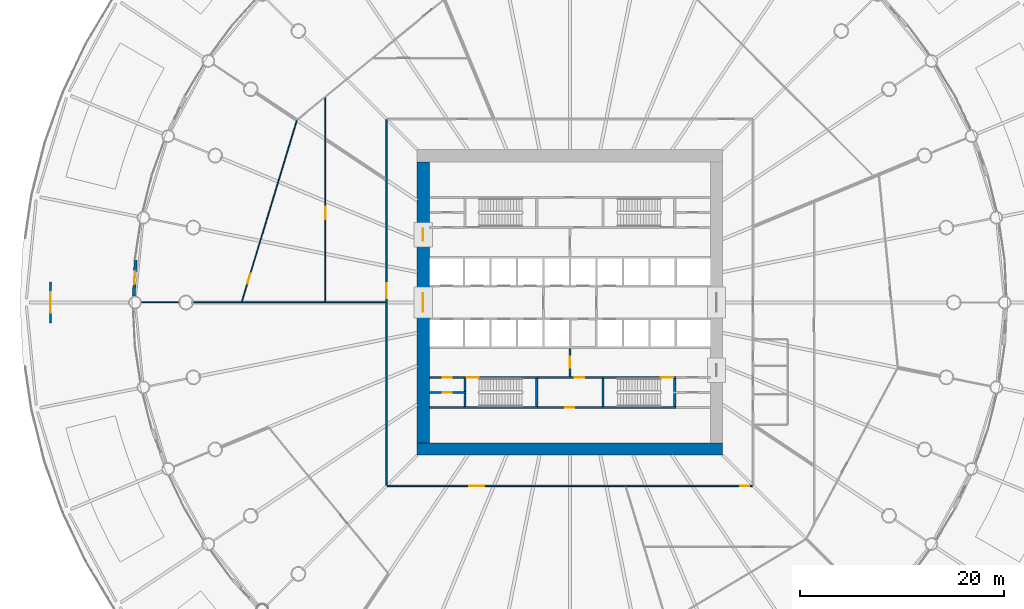
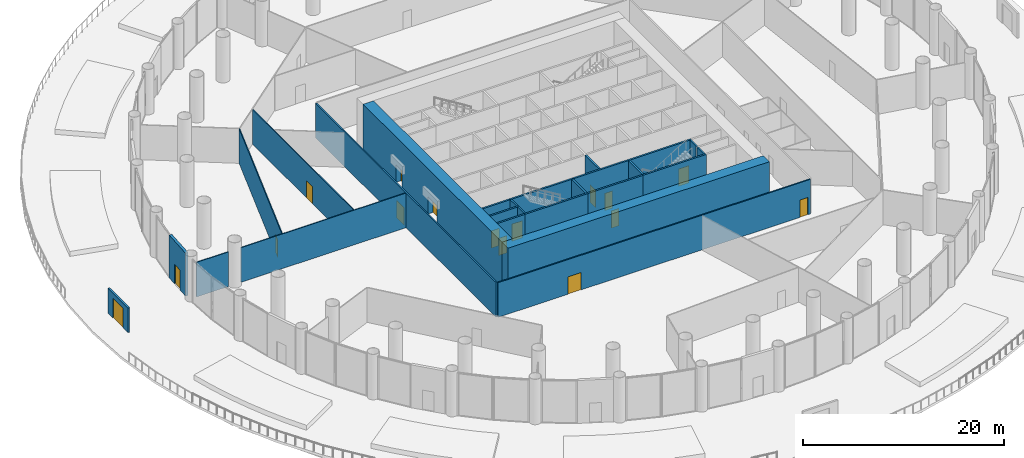
# One storey, part 28 of 36: 26 walls, 16 doors, 16 openings.
"""IFC4 building model written with IfcOpenShell, lengths in metres."""

from ifc_helpers import new_model, si_unit, direction, frame, frame_2d, origin, place, context, subcontext, project, spatial, polyline, rectangle, outline, extrude, material, layer, layer_set, type_object, element, fill, save


model = new_model("IFC4")

# Units and contexts
model_context = context("Model", 3, precision=1e-05, world=origin(), true_north=direction((0.0, 1.0)))
body_context = subcontext(model_context, "Body", "Model", "MODEL_VIEW")
ifc_project = project(units=[si_unit("LENGTHUNIT", "METRE"), si_unit("AREAUNIT", "SQUARE_METRE"), si_unit("VOLUMEUNIT", "CUBIC_METRE"), si_unit("PLANEANGLEUNIT", "RADIAN"), si_unit("MASSUNIT", "GRAM", prefix="KILO")], contexts=[model_context])

# Site, building, storey
site_placement = place(None, origin())
site = spatial("IfcSite", under=ifc_project, at=site_placement, CompositionType="ELEMENT")
building_placement = place(site_placement, origin())
building = spatial("IfcBuilding", under=site, at=building_placement, Name="Corvane Civic Tower", CompositionType="ELEMENT")
storey_placement = place(building_placement, frame((0.0, 0.0, 6.0)))
storey = spatial("IfcBuildingStorey", under=building, at=storey_placement, Name="L01", CompositionType="ELEMENT", Elevation=6.0)

# Wall
ifc_material_1 = material(Name="Concrete C80/95", Category="concrete")
ifc_layer_1 = layer(ifc_material_1, 1.199951171875)
ifc_layer_set_1 = layer_set([ifc_layer_1], Name="Concrete C80/95")
wall_type_1 = type_object("IfcWallType", Name="CORE WALL 1200 C80/95", PredefinedType="SHEAR", material=ifc_layer_set_1)
wall_1_placement = place(storey_placement, frame((-15.0, -14.39990234375, 0.0), z_axis=(0.0, 0.0, 1.0), x_axis=(1.0, 0.0, 0.0)))
element("IfcWall", 1, at=wall_1_placement, inside=storey, type_object=wall_type_1, Name="W-L01-core-S", PredefinedType="SHEAR", context=body_context, shape_type="SweptSolid", body=[
    extrude(rectangle(XDim=30.0, YDim=1.199951171875, at=frame_2d((15.0, 0.0))), origin(), (0.0, 0.0, 1.0), 5.5),
])

# Wall, openings, doors
wall_2_placement = place(storey_placement, frame((-14.39990234375, -13.800048828125, 0.0), z_axis=(0.0, 0.0, 1.0), x_axis=(0.0, 1.0, 0.0)))
wall_2 = element("IfcWall", 2, at=wall_2_placement, inside=storey, type_object=wall_type_1, Name="W-L01-core-W", PredefinedType="SHEAR", context=body_context, shape_type="SweptSolid", body=[
    extrude(rectangle(XDim=27.60009765625, YDim=1.199951171875, at=frame_2d((13.800048828125, 0.0))), origin(), (0.0, 0.0, 1.0), 5.5),
])
opening_1_placement = place(wall_2_placement, frame((12.89990234375, 0.0, 0.0)))
opening_1 = element("IfcOpeningElement", 3, at=opening_1_placement, cuts=wall_2, Name="Opening L01.C22", PredefinedType="OPENING", context=body_context, shape_type="SweptSolid", body=[
    extrude(rectangle(XDim=1.800048828125, YDim=2.10009765625, at=frame_2d((0.89990234375, 1.050048828125))), frame((0.0, 0.60986328125, 0.0), z_axis=(0.0, -1.0, 0.0), x_axis=(1.0, 0.0, 0.0)), (0.0, 0.0, 1.0), 1.219970703125),
])
opening_2_placement = place(wall_2_placement, frame((19.85009765625, 0.0, 0.0)))
opening_2 = element("IfcOpeningElement", 4, at=opening_2_placement, cuts=wall_2, Name="Opening L01.C24", PredefinedType="OPENING", context=body_context, shape_type="SweptSolid", body=[
    extrude(rectangle(XDim=1.199951171875, YDim=2.10009765625, at=frame_2d((0.60009765625, 1.050048828125))), frame((0.0, 0.60986328125, 0.0), z_axis=(0.0, -1.0, 0.0), x_axis=(1.0, 0.0, 0.0)), (0.0, 0.0, 1.0), 1.219970703125),
])
ifc_material_2 = material(Name="Steel fire door leaf", Category="steel")
door_type_1 = type_object("IfcDoorType", Name="CR-DOOR-CORE-1800", OperationType="DOUBLE_DOOR_SINGLE_SWING", PredefinedType="DOOR", material=ifc_material_2)
door_1_placement = place(opening_1_placement, origin())
door_1 = element("IfcDoor", 5, at=door_1_placement, inside=storey, type_object=door_type_1, Name="L01 door", OperationType="DOUBLE_DOOR_SINGLE_SWING", OverallHeight=2.10009765625, OverallWidth=1.800048828125, PredefinedType="DOOR", context=body_context, shape_type="SweptSolid", body=[
    extrude(rectangle(XDim=1.800048828125, YDim=2.10009765625, at=frame_2d((0.89990234375, 1.050048828125))), frame((0.0, 0.02490234375, 0.0), z_axis=(0.0, -1.0, 0.0), x_axis=(1.0, 0.0, 0.0)), (0.0, 0.0, 1.0), 0.050048828125),
])
fill(opening_1, door_1)
door_2_placement = place(opening_2_placement, origin())
door_2 = element("IfcDoor", 6, at=door_2_placement, inside=storey, type_object=door_type_1, Name="L01 door", OperationType="DOUBLE_DOOR_SINGLE_SWING", OverallHeight=2.10009765625, OverallWidth=1.199951171875, PredefinedType="DOOR", context=body_context, shape_type="SweptSolid", body=[
    extrude(rectangle(XDim=1.199951171875, YDim=2.10009765625, at=frame_2d((0.60009765625, 1.050048828125))), frame((0.0, 0.02490234375, 0.0), z_axis=(0.0, -1.0, 0.0), x_axis=(1.0, 0.0, 0.0)), (0.0, 0.0, 1.0), 0.050048828125),
])
fill(opening_2, door_2)

# Wall, opening, door
ifc_material_3 = material(Name="Concrete C30/37", Category="concrete")
ifc_layer_2 = layer(ifc_material_3, 0.199951171875)
ifc_layer_set_2 = layer_set([ifc_layer_2], Name="Concrete C30/37")
wall_type_2 = type_object("IfcWallType", Name="CR-WALL-200", PredefinedType="PARTITIONING", material=ifc_layer_set_2)
wall_3_placement = place(storey_placement, frame((-3.14990234375, -10.300048828125, 0.0), z_axis=(0.0, 0.0, 1.0), x_axis=(1.0, 0.0, 0.0)))
wall_3 = element("IfcWall", 7, at=wall_3_placement, inside=storey, type_object=wall_type_2, Name="L01 partition wall", PredefinedType="PARTITIONING", context=body_context, shape_type="SweptSolid", body=[
    extrude(rectangle(XDim=6.2998046875, YDim=0.199951171875, at=frame_2d((3.14990234375, 0.0))), origin(), (0.0, 0.0, 1.0), 5.199951171875),
])
opening_3_placement = place(wall_3_placement, frame((2.699951171875, 0.0, 0.0)))
opening_3 = element("IfcOpeningElement", 8, at=opening_3_placement, cuts=wall_3, Name="Opening L01.C05", PredefinedType="OPENING", context=body_context, shape_type="SweptSolid", body=[
    extrude(rectangle(XDim=0.89990234375, YDim=2.10009765625, at=frame_2d((0.449951171875, 1.050048828125))), frame((0.0, 0.10986328125, 0.0), z_axis=(0.0, -1.0, 0.0), x_axis=(1.0, 0.0, 0.0)), (0.0, 0.0, 1.0), 0.219970703125),
])
ifc_material_4 = material(Name="Steel fire door leaf", Category="steel")
door_type_2 = type_object("IfcDoorType", Name="CR-DOOR-900", OperationType="SINGLE_SWING_LEFT", PredefinedType="DOOR", material=ifc_material_4)
door_3_placement = place(opening_3_placement, origin())
door_3 = element("IfcDoor", 9, at=door_3_placement, inside=storey, type_object=door_type_2, Name="L01 door", OperationType="SINGLE_SWING_LEFT", OverallHeight=2.10009765625, OverallWidth=0.89990234375, PredefinedType="DOOR", context=body_context, shape_type="SweptSolid", body=[
    extrude(rectangle(XDim=0.89990234375, YDim=2.10009765625, at=frame_2d((0.449951171875, 1.050048828125))), frame((0.0, 0.02490234375, 0.0), z_axis=(0.0, -1.0, 0.0), x_axis=(1.0, 0.0, 0.0)), (0.0, 0.0, 1.0), 0.050048828125),
])
fill(opening_3, door_3)

wall_4_placement = place(storey_placement, frame((-13.800048828125, -8.824951171875, 0.0), z_axis=(0.0, 0.0, 1.0), x_axis=(1.0, 0.0, 0.0)))
wall_4 = element("IfcWall", 10, at=wall_4_placement, inside=storey, type_object=wall_type_2, Name="L01 partition wall", PredefinedType="PARTITIONING", context=body_context, shape_type="SweptSolid", body=[
    extrude(rectangle(XDim=3.60009765625, YDim=0.199951171875, at=frame_2d((1.800048828125, 0.0))), origin(), (0.0, 0.0, 1.0), 5.199951171875),
])
opening_4_placement = place(wall_4_placement, frame((1.300048828125, 0.0, 0.0)))
opening_4 = element("IfcOpeningElement", 11, at=opening_4_placement, cuts=wall_4, Name="Opening L01.C09", PredefinedType="OPENING", context=body_context, shape_type="SweptSolid", body=[
    extrude(rectangle(XDim=0.89990234375, YDim=2.10009765625, at=frame_2d((0.449951171875, 1.050048828125))), frame((0.0, 0.10986328125, 0.0), z_axis=(0.0, -1.0, 0.0), x_axis=(1.0, 0.0, 0.0)), (0.0, 0.0, 1.0), 0.219970703125),
])
door_4_placement = place(opening_4_placement, origin())
door_4 = element("IfcDoor", 12, at=door_4_placement, inside=storey, type_object=door_type_2, Name="L01 door", OperationType="SINGLE_SWING_LEFT", OverallHeight=2.10009765625, OverallWidth=0.89990234375, PredefinedType="DOOR", context=body_context, shape_type="SweptSolid", body=[
    extrude(rectangle(XDim=0.89990234375, YDim=2.10009765625, at=frame_2d((0.449951171875, 1.050048828125))), frame((0.0, 0.02490234375, 0.0), z_axis=(0.0, -1.0, 0.0), x_axis=(1.0, 0.0, 0.0)), (0.0, 0.0, 1.0), 0.050048828125),
])
fill(opening_4, door_4)

wall_5_placement = place(storey_placement, frame((-13.800048828125, -7.35009765625, 0.0), z_axis=(0.0, 0.0, 1.0), x_axis=(1.0, 0.0, 0.0)))
wall_5 = element("IfcWall", 13, at=wall_5_placement, inside=storey, type_object=wall_type_2, Name="L01 core partition wall", PredefinedType="PARTITIONING", context=body_context, shape_type="SweptSolid", body=[
    extrude(rectangle(XDim=3.400146484375, YDim=0.199951171875, at=frame_2d((1.7001953125, 0.0))), origin(), (0.0, 0.0, 1.0), 5.199951171875),
])
opening_5_placement = place(wall_5_placement, frame((1.300048828125, 0.0, 0.0)))
opening_5 = element("IfcOpeningElement", 14, at=opening_5_placement, cuts=wall_5, Name="Opening L01.C08", PredefinedType="OPENING", context=body_context, shape_type="SweptSolid", body=[
    extrude(rectangle(XDim=0.89990234375, YDim=2.10009765625, at=frame_2d((0.449951171875, 1.050048828125))), frame((0.0, 0.10986328125, 0.0), z_axis=(0.0, -1.0, 0.0), x_axis=(1.0, 0.0, 0.0)), (0.0, 0.0, 1.0), 0.219970703125),
])
door_5_placement = place(opening_5_placement, origin())
door_5 = element("IfcDoor", 15, at=door_5_placement, inside=storey, type_object=door_type_2, Name="L01 door", OperationType="SINGLE_SWING_LEFT", OverallHeight=2.10009765625, OverallWidth=0.89990234375, PredefinedType="DOOR", context=body_context, shape_type="SweptSolid", body=[
    extrude(rectangle(XDim=0.89990234375, YDim=2.10009765625, at=frame_2d((0.449951171875, 1.050048828125))), frame((0.0, 0.02490234375, 0.0), z_axis=(0.0, -1.0, 0.0), x_axis=(1.0, 0.0, 0.0)), (0.0, 0.0, 1.0), 0.050048828125),
])
fill(opening_5, door_5)

wall_6_placement = place(storey_placement, frame((-3.14990234375, -7.35009765625, 0.0), z_axis=(0.0, 0.0, 1.0), x_axis=(1.0, 0.0, 0.0)))
wall_6 = element("IfcWall", 16, at=wall_6_placement, inside=storey, type_object=wall_type_2, Name="L01 partition wall", PredefinedType="PARTITIONING", context=body_context, shape_type="SweptSolid", body=[
    extrude(rectangle(XDim=6.2998046875, YDim=0.199951171875, at=frame_2d((3.14990234375, 0.0))), origin(), (0.0, 0.0, 1.0), 5.199951171875),
])
opening_6_placement = place(wall_6_placement, frame((3.64990234375, 0.0, 0.0)))
opening_6 = element("IfcOpeningElement", 17, at=opening_6_placement, cuts=wall_6, Name="Opening L01.C03", PredefinedType="OPENING", context=body_context, shape_type="SweptSolid", body=[
    extrude(rectangle(XDim=0.89990234375, YDim=2.10009765625, at=frame_2d((0.449951171875, 1.050048828125))), frame((0.0, 0.10986328125, 0.0), z_axis=(0.0, -1.0, 0.0), x_axis=(1.0, 0.0, 0.0)), (0.0, 0.0, 1.0), 0.219970703125),
])
door_6_placement = place(opening_6_placement, origin())
door_6 = element("IfcDoor", 18, at=door_6_placement, inside=storey, type_object=door_type_2, Name="L01 door", OperationType="SINGLE_SWING_LEFT", OverallHeight=2.10009765625, OverallWidth=0.89990234375, PredefinedType="DOOR", context=body_context, shape_type="SweptSolid", body=[
    extrude(rectangle(XDim=0.89990234375, YDim=2.10009765625, at=frame_2d((0.449951171875, 1.050048828125))), frame((0.0, 0.02490234375, 0.0), z_axis=(0.0, -1.0, 0.0), x_axis=(1.0, 0.0, 0.0)), (0.0, 0.0, 1.0), 0.050048828125),
])
fill(opening_6, door_6)

wall_7_placement = place(storey_placement, frame((0.0, -7.25, 0.0), z_axis=(0.0, 0.0, 1.0), x_axis=(0.0, 1.0, 0.0)))
wall_7 = element("IfcWall", 19, at=wall_7_placement, inside=storey, type_object=wall_type_2, Name="L01 core partition wall", PredefinedType="PARTITIONING", context=body_context, shape_type="SweptSolid", body=[
    extrude(rectangle(XDim=2.75, YDim=0.199951171875, at=frame_2d((1.375, 0.0))), origin(), (0.0, 0.0, 1.0), 5.199951171875),
])
opening_7_placement = place(wall_7_placement, frame((0.824951171875, 0.0, 0.0)))
opening_7 = element("IfcOpeningElement", 20, at=opening_7_placement, cuts=wall_7, Name="Opening L01.C21", PredefinedType="OPENING", context=body_context, shape_type="SweptSolid", body=[
    extrude(rectangle(XDim=1.10009765625, YDim=2.10009765625, at=frame_2d((0.550048828125, 1.050048828125))), frame((0.0, 0.10986328125, 0.0), z_axis=(0.0, -1.0, 0.0), x_axis=(1.0, 0.0, 0.0)), (0.0, 0.0, 1.0), 0.219970703125),
])
ifc_material_5 = material(Name="Steel fire door leaf", Category="steel")
door_type_3 = type_object("IfcDoorType", Name="CR-DOOR-FFL-1100", OperationType="SINGLE_SWING_LEFT", PredefinedType="DOOR", material=ifc_material_5)
door_7_placement = place(opening_7_placement, origin())
door_7 = element("IfcDoor", 21, at=door_7_placement, inside=storey, type_object=door_type_3, Name="L01 lobby door", OperationType="SINGLE_SWING_LEFT", OverallHeight=2.10009765625, OverallWidth=1.10009765625, PredefinedType="DOOR", context=body_context, shape_type="SweptSolid", body=[
    extrude(rectangle(XDim=1.10009765625, YDim=2.10009765625, at=frame_2d((0.550048828125, 1.050048828125))), frame((0.0, 0.02490234375, 0.0), z_axis=(0.0, -1.0, 0.0), x_axis=(1.0, 0.0, 0.0)), (0.0, 0.0, 1.0), 0.050048828125),
])
fill(opening_7, door_7)

# Wall
wall_8_placement = place(storey_placement, origin())
element("IfcWall", 22, at=wall_8_placement, inside=storey, type_object=wall_type_2, Name="L01 core partition wall", PredefinedType="PARTITIONING", context=body_context, shape_type="SweptSolid", body=[
    extrude(outline(polyline([(-10.39990234375, -10.39990234375), (-13.800048828125, -10.39990234375), (-13.800048828125, -10.199951171875), (-10.39990234375, -10.199951171875), (-10.39990234375, -10.39990234375)])), origin(), (0.0, 0.0, 1.0), 5.199951171875),
])

# Wall, opening, door
ifc_material_6 = material(Name="Terracotta cladding", Category="masonry")
ifc_layer_3 = layer(ifc_material_6, 0.300048828125)
ifc_layer_set_3 = layer_set([ifc_layer_3], Name="Terracotta cladding")
wall_type_3 = type_object("IfcWallType", Name="PODIUM-W-DRUMDOOR-300", PredefinedType="SOLIDWALL", material=ifc_layer_set_3)
wall_9_placement = place(storey_placement, frame((-42.81884765625, 0.6318359375, 0.0), z_axis=(0.0, 0.0, 1.0), x_axis=(0.049103014495, 0.998793719427, 0.0)))
wall_9 = element("IfcWall", 23, at=wall_9_placement, inside=storey, type_object=wall_type_3, Name="L01 drum door bay wall 25", PredefinedType="SOLIDWALL", context=body_context, shape_type="SweptSolid", body=[
    extrude(rectangle(XDim=3.56005859375, YDim=0.300048828125, at=frame_2d((1.780029296875, 0.0))), origin(), (0.0, 0.0, 1.0), 5.199951171875),
])
opening_8_placement = place(wall_9_placement, frame((1.179931640625, 0.0, 0.0)))
opening_8 = element("IfcOpeningElement", 24, at=opening_8_placement, cuts=wall_9, Name="Opening ED-L01-25", PredefinedType="OPENING", context=body_context, shape_type="SweptSolid", body=[
    extrude(rectangle(XDim=1.199951171875, YDim=2.39990234375, at=frame_2d((0.60009765625, 1.199951171875))), frame((0.0, 0.159912109375, 0.0), z_axis=(0.0, -1.0, 0.0), x_axis=(1.0, 0.0, 0.0)), (0.0, 0.0, 1.0), 0.320068359375),
])
ifc_material_7 = material(Name="Anodised aluminium and glass", Category="aluminium")
door_type_4 = type_object("IfcDoorType", Name="PODIUM-D-BALCONY-1200", OperationType="SINGLE_SWING_LEFT", PredefinedType="DOOR", material=ifc_material_7)
door_8_placement = place(opening_8_placement, origin())
door_8 = element("IfcDoor", 25, at=door_8_placement, inside=storey, type_object=door_type_4, Name="L01 balcony door 25", OperationType="SINGLE_SWING_LEFT", OverallHeight=2.39990234375, OverallWidth=1.199951171875, PredefinedType="DOOR", context=body_context, shape_type="SweptSolid", body=[
    extrude(rectangle(XDim=1.199951171875, YDim=2.39990234375, at=frame_2d((0.60009765625, 1.199951171875))), frame((0.0, 0.02490234375, 0.0), z_axis=(0.0, -1.0, 0.0), x_axis=(1.0, 0.0, 0.0)), (0.0, 0.0, 1.0), 0.050048828125),
])
fill(opening_8, door_8)

ifc_material_8 = material(Name="Anodised aluminium bronze", Category="aluminium")
ifc_layer_4 = layer(ifc_material_8, 0.199951171875)
ifc_layer_set_4 = layer_set([ifc_layer_4], Name="Anodised aluminium bronze")
wall_type_4 = type_object("IfcWallType", Name="PODIUM-W-GATESCREEN-200", PredefinedType="SOLIDWALL", material=ifc_layer_set_4)
wall_10_placement = place(storey_placement, frame((-51.0, 2.0, 0.0), z_axis=(0.0, 0.0, 1.0), x_axis=(0.0, -1.0, 0.0)))
wall_10 = element("IfcWall", 26, at=wall_10_placement, inside=storey, type_object=wall_type_4, Name="Garden gate screen west", PredefinedType="SOLIDWALL", context=body_context, shape_type="SweptSolid", body=[
    extrude(rectangle(XDim=4.0, YDim=0.199951171875, at=frame_2d((2.0, 0.0))), origin(), (0.0, 0.0, 1.0), 3.0),
])
opening_9_placement = place(wall_10_placement, frame((1.0, 0.0, 0.0)))
opening_9 = element("IfcOpeningElement", 27, at=opening_9_placement, cuts=wall_10, Name="Opening ED-L01-G4", PredefinedType="OPENING", context=body_context, shape_type="SweptSolid", body=[
    extrude(rectangle(XDim=2.0, YDim=2.39990234375, at=frame_2d((1.0, 1.199951171875))), frame((0.0, 0.10986328125, 0.0), z_axis=(0.0, -1.0, 0.0), x_axis=(1.0, 0.0, 0.0)), (0.0, 0.0, 1.0), 0.219970703125),
])
ifc_material_9 = material(Name="Anodised aluminium bronze gate leaves", Category="aluminium")
door_type_5 = type_object("IfcDoorType", Name="PODIUM-D-GATE-2000", OperationType="DOUBLE_DOOR_SINGLE_SWING", PredefinedType="DOOR", material=ifc_material_9)
door_9_placement = place(opening_9_placement, origin())
door_9 = element("IfcDoor", 28, at=door_9_placement, inside=storey, type_object=door_type_5, Name="Garden gate west", OperationType="DOUBLE_DOOR_SINGLE_SWING", OverallHeight=2.39990234375, OverallWidth=2.0, PredefinedType="DOOR", context=body_context, shape_type="SweptSolid", body=[
    extrude(rectangle(XDim=2.0, YDim=2.39990234375, at=frame_2d((1.0, 1.199951171875))), frame((0.0, 0.02490234375, 0.0), z_axis=(0.0, -1.0, 0.0), x_axis=(1.0, 0.0, 0.0)), (0.0, 0.0, 1.0), 0.050048828125),
])
fill(opening_9, door_9)

# Walls
ifc_material_10 = material(Name="Plasterboard")
ifc_layer_5 = layer(ifc_material_10, 0.10009765625)
ifc_layer_set_5 = layer_set([ifc_layer_5], Name="Plasterboard")
wall_type_5 = type_object("IfcWallType", Name="Partition 100 plasterboard on studs", PredefinedType="PARTITIONING", material=ifc_layer_set_5)
wall_11_placement = place(storey_placement, frame((-42.090087890625, 0.0, 0.0), z_axis=(0.0, 0.0, 1.0), x_axis=(1.0, 0.0, 0.0)))
element("IfcWall", 29, at=wall_11_placement, inside=storey, type_object=wall_type_5, Name="Partition L01.028", PredefinedType="PARTITIONING", context=body_context, shape_type="SweptSolid", body=[
    extrude(rectangle(XDim=3.68017578125, YDim=0.10009765625, at=frame_2d((1.840087890625, 0.0))), origin(), (0.0, 0.0, 1.0), 4.199951171875),
])
wall_12_placement = place(storey_placement, frame((-36.989990234375, 0.0, 0.0), z_axis=(0.0, 0.0, 1.0), x_axis=(1.0, 0.0, 0.0)))
element("IfcWall", 30, at=wall_12_placement, inside=storey, type_object=wall_type_5, Name="Partition L01.029", PredefinedType="PARTITIONING", context=body_context, shape_type="SweptSolid", body=[
    extrude(rectangle(XDim=18.9150390625, YDim=0.10009765625, at=frame_2d((9.45751953125, 0.0))), origin(), (0.0, 0.0, 1.0), 4.199951171875),
])

# Wall, opening, door
wall_13_placement = place(storey_placement, frame((-24.0, 0.050048828125, 0.0), z_axis=(0.0, 0.0, 1.0), x_axis=(0.0, 1.0, 0.0)))
wall_13 = element("IfcWall", 31, at=wall_13_placement, inside=storey, type_object=wall_type_5, Name="Partition L01.030", PredefinedType="PARTITIONING", context=body_context, shape_type="SweptSolid", body=[
    extrude(rectangle(XDim=20.055908203125, YDim=0.10009765625, at=frame_2d((10.02783203125, 0.0))), origin(), (0.0, 0.0, 1.0), 4.199951171875),
])
opening_10_placement = place(wall_13_placement, frame((8.136962890625, 0.0, 0.0)))
opening_10 = element("IfcOpeningElement", 32, at=opening_10_placement, cuts=wall_13, Name="Opening L01.016", PredefinedType="OPENING", context=body_context, shape_type="SweptSolid", body=[
    extrude(rectangle(XDim=1.199951171875, YDim=2.10009765625, at=frame_2d((0.60009765625, 1.050048828125))), frame((0.0, 0.06005859375, 0.0), z_axis=(0.0, -1.0, 0.0), x_axis=(1.0, 0.0, 0.0)), (0.0, 0.0, 1.0), 0.1201171875),
])
ifc_material_11 = material(Name="Timber", Category="wood")
door_type_6 = type_object("IfcDoorType", Name="Double door 1200", OperationType="NOTDEFINED", PredefinedType="DOOR", material=ifc_material_11)
door_10_placement = place(opening_10_placement, origin())
door_10 = element("IfcDoor", 33, at=door_10_placement, inside=storey, type_object=door_type_6, Name="Door L01.016", OperationType="DOUBLE_DOOR_SINGLE_SWING", OverallHeight=2.10009765625, OverallWidth=1.199951171875, PredefinedType="DOOR", context=body_context, shape_type="SweptSolid", body=[
    extrude(rectangle(XDim=1.199951171875, YDim=2.10009765625, at=frame_2d((0.60009765625, 1.050048828125))), frame((0.0, 0.02490234375, 0.0), z_axis=(0.0, -1.0, 0.0), x_axis=(1.0, 0.0, 0.0)), (0.0, 0.0, 1.0), 0.050048828125),
])
fill(opening_10, door_10)

wall_14_placement = place(storey_placement, frame((-32.2177734375, 0.064453125, 0.0), z_axis=(0.0, 0.0, 1.0), x_axis=(0.290279344826, 0.956941953291, 0.0)))
wall_14 = element("IfcWall", 34, at=wall_14_placement, inside=storey, type_object=wall_type_5, Name="Partition L01.031", PredefinedType="PARTITIONING", context=body_context, shape_type="SweptSolid", body=[
    extrude(rectangle(XDim=18.611572265625, YDim=0.10009765625, at=frame_2d((9.3056640625, 0.0))), origin(), (0.0, 0.0, 1.0), 4.199951171875),
])
opening_11_placement = place(wall_14_placement, frame((1.875732421875, 0.0, 0.0)))
opening_11 = element("IfcOpeningElement", 35, at=opening_11_placement, cuts=wall_14, Name="Opening L01.014", PredefinedType="OPENING", context=body_context, shape_type="SweptSolid", body=[
    extrude(rectangle(XDim=1.0, YDim=2.10009765625, at=frame_2d((0.5, 1.050048828125))), frame((0.0, 0.06005859375, 0.0), z_axis=(0.0, -1.0, 0.0), x_axis=(1.0, 0.0, 0.0)), (0.0, 0.0, 1.0), 0.1201171875),
])
ifc_material_12 = material(Name="Timber", Category="wood")
door_type_7 = type_object("IfcDoorType", Name="Single door 1000", OperationType="NOTDEFINED", PredefinedType="DOOR", material=ifc_material_12)
door_11_placement = place(opening_11_placement, origin())
door_11 = element("IfcDoor", 36, at=door_11_placement, inside=storey, type_object=door_type_7, Name="Door L01.014", OperationType="SINGLE_SWING_LEFT", OverallHeight=2.10009765625, OverallWidth=1.0, PredefinedType="DOOR", context=body_context, shape_type="SweptSolid", body=[
    extrude(rectangle(XDim=1.0, YDim=2.10009765625, at=frame_2d((0.5, 1.050048828125))), frame((0.0, 0.02490234375, 0.0), z_axis=(0.0, -1.0, 0.0), x_axis=(1.0, 0.0, 0.0)), (0.0, 0.0, 1.0), 0.050048828125),
])
fill(opening_11, door_11)

ifc_material_13 = material(Name="Concrete C50/60", Category="concrete")
ifc_layer_6 = layer(ifc_material_13, 0.199951171875)
ifc_layer_set_6 = layer_set([ifc_layer_6], Name="Concrete C50/60")
wall_type_6 = type_object("IfcWallType", Name="ST-WALL-200", PredefinedType="SHEAR", material=ifc_layer_set_6)
wall_15_placement = place(storey_placement, frame((-10.39990234375, -7.35009765625, 0.0), z_axis=(0.0, 0.0, 1.0), x_axis=(1.0, 0.0, 0.0)))
wall_15 = element("IfcWall", 37, at=wall_15_placement, inside=storey, type_object=wall_type_6, Name="L01 stair enclosure wall", PredefinedType="SHEAR", context=body_context, shape_type="SweptSolid", body=[
    extrude(rectangle(XDim=7.25, YDim=0.199951171875, at=frame_2d((3.625, 0.0))), origin(), (0.0, 0.0, 1.0), 5.199951171875),
])
opening_12_placement = place(wall_15_placement, frame((0.25, 0.0, 0.0)))
opening_12 = element("IfcOpeningElement", 38, at=opening_12_placement, cuts=wall_15, Name="Opening L01.C17", PredefinedType="OPENING", context=body_context, shape_type="SweptSolid", body=[
    extrude(rectangle(XDim=1.199951171875, YDim=2.10009765625, at=frame_2d((0.60009765625, 1.050048828125))), frame((0.0, 0.10986328125, 0.0), z_axis=(0.0, -1.0, 0.0), x_axis=(1.0, 0.0, 0.0)), (0.0, 0.0, 1.0), 0.219970703125),
])
ifc_material_14 = material(Name="Steel fire door leaf", Category="steel")
door_type_8 = type_object("IfcDoorType", Name="ST-DOOR-1200", OperationType="SINGLE_SWING_RIGHT", PredefinedType="DOOR", material=ifc_material_14)
door_12_placement = place(opening_12_placement, origin())
door_12 = element("IfcDoor", 39, at=door_12_placement, inside=storey, type_object=door_type_8, Name="L01 stair door", OperationType="SINGLE_SWING_RIGHT", OverallHeight=2.10009765625, OverallWidth=1.199951171875, PredefinedType="DOOR", context=body_context, shape_type="SweptSolid", body=[
    extrude(rectangle(XDim=1.199951171875, YDim=2.10009765625, at=frame_2d((0.60009765625, 1.050048828125))), frame((0.0, 0.02490234375, 0.0), z_axis=(0.0, -1.0, 0.0), x_axis=(1.0, 0.0, 0.0)), (0.0, 0.0, 1.0), 0.050048828125),
])
fill(opening_12, door_12)

wall_16_placement = place(storey_placement, frame((3.14990234375, -7.35009765625, 0.0), z_axis=(0.0, 0.0, 1.0), x_axis=(1.0, 0.0, 0.0)))
wall_16 = element("IfcWall", 40, at=wall_16_placement, inside=storey, type_object=wall_type_6, Name="L01 stair enclosure wall", PredefinedType="SHEAR", context=body_context, shape_type="SweptSolid", body=[
    extrude(rectangle(XDim=7.25, YDim=0.199951171875, at=frame_2d((3.625, 0.0))), origin(), (0.0, 0.0, 1.0), 5.199951171875),
])
opening_13_placement = place(wall_16_placement, frame((5.800048828125, 0.0, 0.0)))
opening_13 = element("IfcOpeningElement", 41, at=opening_13_placement, cuts=wall_16, Name="Opening L01.C16", PredefinedType="OPENING", context=body_context, shape_type="SweptSolid", body=[
    extrude(rectangle(XDim=1.199951171875, YDim=2.10009765625, at=frame_2d((0.60009765625, 1.050048828125))), frame((0.0, 0.10986328125, 0.0), z_axis=(0.0, -1.0, 0.0), x_axis=(1.0, 0.0, 0.0)), (0.0, 0.0, 1.0), 0.219970703125),
])
door_13_placement = place(opening_13_placement, origin())
door_13 = element("IfcDoor", 42, at=door_13_placement, inside=storey, type_object=door_type_8, Name="L01 stair door", OperationType="SINGLE_SWING_RIGHT", OverallHeight=2.10009765625, OverallWidth=1.199951171875, PredefinedType="DOOR", context=body_context, shape_type="SweptSolid", body=[
    extrude(rectangle(XDim=1.199951171875, YDim=2.10009765625, at=frame_2d((0.60009765625, 1.050048828125))), frame((0.0, 0.02490234375, 0.0), z_axis=(0.0, -1.0, 0.0), x_axis=(1.0, 0.0, 0.0)), (0.0, 0.0, 1.0), 0.050048828125),
])
fill(opening_13, door_13)

# Walls
wall_17_placement = place(storey_placement, origin())
element("IfcWall", 43, at=wall_17_placement, inside=storey, type_object=wall_type_6, Name="L01 stair enclosure wall", PredefinedType="SHEAR", context=body_context, shape_type="SweptSolid", body=[
    extrude(outline(polyline([(-3.14990234375, -10.199951171875), (-3.14990234375, -10.39990234375), (-10.39990234375, -10.39990234375), (-10.39990234375, -10.199951171875), (-3.14990234375, -10.199951171875)])), origin(), (0.0, 0.0, 1.0), 5.199951171875),
])
wall_18_placement = place(storey_placement, origin())
element("IfcWall", 44, at=wall_18_placement, inside=storey, type_object=wall_type_6, Name="L01 stair enclosure wall", PredefinedType="SHEAR", context=body_context, shape_type="SweptSolid", body=[
    extrude(outline(polyline([(10.39990234375, -10.39990234375), (3.14990234375, -10.39990234375), (3.14990234375, -10.199951171875), (10.39990234375, -10.199951171875), (10.39990234375, -10.39990234375)])), origin(), (0.0, 0.0, 1.0), 5.199951171875),
])
wall_19_placement = place(storey_placement, origin())
element("IfcWall", 45, at=wall_19_placement, inside=storey, type_object=wall_type_6, Name="L01 stair enclosure wall", PredefinedType="SHEAR", context=body_context, shape_type="SweptSolid", body=[
    extrude(outline(polyline([(-3.14990234375, -7.449951171875), (-3.14990234375, -10.199951171875), (-3.35009765625, -10.199951171875), (-3.35009765625, -7.449951171875), (-3.14990234375, -7.449951171875)])), origin(), (0.0, 0.0, 1.0), 5.199951171875),
])
wall_20_placement = place(storey_placement, origin())
element("IfcWall", 46, at=wall_20_placement, inside=storey, type_object=wall_type_6, Name="L01 stair enclosure wall", PredefinedType="SHEAR", context=body_context, shape_type="SweptSolid", body=[
    extrude(outline(polyline([(3.35009765625, -7.449951171875), (3.35009765625, -10.199951171875), (3.14990234375, -10.199951171875), (3.14990234375, -7.449951171875), (3.35009765625, -7.449951171875)])), origin(), (0.0, 0.0, 1.0), 5.199951171875),
])
wall_21_placement = place(storey_placement, origin())
element("IfcWall", 47, at=wall_21_placement, inside=storey, type_object=wall_type_6, Name="L01 stair enclosure wall", PredefinedType="SHEAR", context=body_context, shape_type="SweptSolid", body=[
    extrude(outline(polyline([(-10.199951171875, -7.449951171875), (-10.199951171875, -8.72509765625), (-10.39990234375, -8.72509765625), (-10.39990234375, -7.449951171875), (-10.199951171875, -7.449951171875)])), origin(), (0.0, 0.0, 1.0), 5.199951171875),
])
wall_22_placement = place(storey_placement, origin())
element("IfcWall", 48, at=wall_22_placement, inside=storey, type_object=wall_type_6, Name="L01 stair enclosure wall", PredefinedType="SHEAR", context=body_context, shape_type="SweptSolid", body=[
    extrude(outline(polyline([(10.39990234375, -7.449951171875), (10.39990234375, -8.72509765625), (10.199951171875, -8.72509765625), (10.199951171875, -7.449951171875), (10.39990234375, -7.449951171875)])), origin(), (0.0, 0.0, 1.0), 5.199951171875),
])
wall_23_placement = place(storey_placement, origin())
element("IfcWall", 49, at=wall_23_placement, inside=storey, type_object=wall_type_6, Name="L01 stair enclosure wall", PredefinedType="SHEAR", context=body_context, shape_type="SweptSolid", body=[
    extrude(outline(polyline([(-10.199951171875, -8.925048828125), (-10.199951171875, -10.199951171875), (-10.39990234375, -10.199951171875), (-10.39990234375, -8.925048828125), (-10.199951171875, -8.925048828125)])), origin(), (0.0, 0.0, 1.0), 5.199951171875),
])
wall_24_placement = place(storey_placement, origin())
element("IfcWall", 50, at=wall_24_placement, inside=storey, type_object=wall_type_6, Name="L01 stair enclosure wall", PredefinedType="SHEAR", context=body_context, shape_type="SweptSolid", body=[
    extrude(outline(polyline([(10.39990234375, -8.925048828125), (10.39990234375, -10.199951171875), (10.199951171875, -10.199951171875), (10.199951171875, -8.925048828125), (10.39990234375, -8.925048828125)])), origin(), (0.0, 0.0, 1.0), 5.199951171875),
])

# Wall, openings, doors
ifc_material_15 = material(Name="Plasterboard")
ifc_layer_7 = layer(ifc_material_15, 0.14990234375)
ifc_layer_set_7 = layer_set([ifc_layer_7], Name="Plasterboard")
wall_type_7 = type_object("IfcWallType", Name="Tenancy wall 150 EI 60", PredefinedType="PARTITIONING", material=ifc_layer_set_7)
wall_25_placement = place(storey_placement, frame((-17.925048828125, -18.0, 0.0), z_axis=(0.0, 0.0, 1.0), x_axis=(1.0, 0.0, 0.0)))
wall_25 = element("IfcWall", 51, at=wall_25_placement, inside=storey, type_object=wall_type_7, Name="Partition L01.014", PredefinedType="PARTITIONING", context=body_context, shape_type="SweptSolid", body=[
    extrude(rectangle(XDim=35.85009765625, YDim=0.14990234375, at=frame_2d((17.925048828125, 0.0))), origin(), (0.0, 0.0, 1.0), 4.199951171875),
])
opening_14_placement = place(wall_25_placement, frame((34.647705078125, 0.0, 0.0)))
opening_14 = element("IfcOpeningElement", 52, at=opening_14_placement, cuts=wall_25, Name="Opening L01.007", PredefinedType="OPENING", context=body_context, shape_type="SweptSolid", body=[
    extrude(rectangle(XDim=0.89990234375, YDim=2.10009765625, at=frame_2d((0.449951171875, 1.050048828125))), frame((0.0, 0.0849609375, 0.0), z_axis=(0.0, -1.0, 0.0), x_axis=(1.0, 0.0, 0.0)), (0.0, 0.0, 1.0), 0.169921875),
])
opening_15_placement = place(wall_25_placement, frame((8.028076171875, 0.0, 0.0)))
opening_15 = element("IfcOpeningElement", 53, at=opening_15_placement, cuts=wall_25, Name="Opening L01.013", PredefinedType="OPENING", context=body_context, shape_type="SweptSolid", body=[
    extrude(rectangle(XDim=1.5, YDim=2.10009765625, at=frame_2d((0.75, 1.050048828125))), frame((0.0, 0.0849609375, 0.0), z_axis=(0.0, -1.0, 0.0), x_axis=(1.0, 0.0, 0.0)), (0.0, 0.0, 1.0), 0.169921875),
])
ifc_material_16 = material(Name="Steel and timber", Category="steel")
door_type_9 = type_object("IfcDoorType", Name="Fire door FD30S 900", OperationType="NOTDEFINED", PredefinedType="DOOR", material=ifc_material_16)
door_14_placement = place(opening_14_placement, frame((0.89990234375, 0.0, 0.0), z_axis=(0.0, 0.0, 1.0), x_axis=(-1.0, 0.0, 0.0)))
door_14 = element("IfcDoor", 54, at=door_14_placement, inside=storey, type_object=door_type_9, Name="Door L01.007", OperationType="SINGLE_SWING_LEFT", OverallHeight=2.10009765625, OverallWidth=0.89990234375, PredefinedType="DOOR", context=body_context, shape_type="SweptSolid", body=[
    extrude(rectangle(XDim=0.89990234375, YDim=2.10009765625, at=frame_2d((0.449951171875, 1.050048828125))), frame((0.0, 0.02490234375, 0.0), z_axis=(0.0, -1.0, 0.0), x_axis=(1.0, 0.0, 0.0)), (0.0, 0.0, 1.0), 0.050048828125),
])
fill(opening_14, door_14)
ifc_material_17 = material(Name="Steel and timber", Category="steel")
door_type_10 = type_object("IfcDoorType", Name="Fire door FD60 double 1500", OperationType="NOTDEFINED", PredefinedType="DOOR", material=ifc_material_17)
door_15_placement = place(opening_15_placement, frame((1.5, 0.0, 0.0), z_axis=(0.0, 0.0, 1.0), x_axis=(-1.0, 0.0, 0.0)))
door_15 = element("IfcDoor", 55, at=door_15_placement, inside=storey, type_object=door_type_10, Name="Door L01.013", OperationType="DOUBLE_DOOR_SINGLE_SWING", OverallHeight=2.10009765625, OverallWidth=1.5, PredefinedType="DOOR", context=body_context, shape_type="SweptSolid", body=[
    extrude(rectangle(XDim=1.5, YDim=2.10009765625, at=frame_2d((0.75, 1.050048828125))), frame((0.0, 0.02490234375, 0.0), z_axis=(0.0, -1.0, 0.0), x_axis=(1.0, 0.0, 0.0)), (0.0, 0.0, 1.0), 0.050048828125),
])
fill(opening_15, door_15)

# Wall, opening, door
wall_26_placement = place(storey_placement, frame((-18.0, -17.925048828125, 0.0), z_axis=(0.0, 0.0, 1.0), x_axis=(0.0, 1.0, 0.0)))
wall_26 = element("IfcWall", 56, at=wall_26_placement, inside=storey, type_object=wall_type_7, Name="Partition L01.015", PredefinedType="PARTITIONING", context=body_context, shape_type="SweptSolid", body=[
    extrude(rectangle(XDim=35.85009765625, YDim=0.14990234375, at=frame_2d((17.925048828125, 0.0))), origin(), (0.0, 0.0, 1.0), 4.199951171875),
])
opening_16_placement = place(wall_26_placement, frame((18.33447265625, 0.0, 0.0)))
opening_16 = element("IfcOpeningElement", 57, at=opening_16_placement, cuts=wall_26, Name="Opening L01.018", PredefinedType="OPENING", context=body_context, shape_type="SweptSolid", body=[
    extrude(rectangle(XDim=1.5, YDim=2.10009765625, at=frame_2d((0.75, 1.050048828125))), frame((0.0, 0.0849609375, 0.0), z_axis=(0.0, -1.0, 0.0), x_axis=(1.0, 0.0, 0.0)), (0.0, 0.0, 1.0), 0.169921875),
])
door_16_placement = place(opening_16_placement, origin())
door_16 = element("IfcDoor", 58, at=door_16_placement, inside=storey, type_object=door_type_10, Name="Door L01.018", OperationType="DOUBLE_DOOR_SINGLE_SWING", OverallHeight=2.10009765625, OverallWidth=1.5, PredefinedType="DOOR", context=body_context, shape_type="SweptSolid", body=[
    extrude(rectangle(XDim=1.5, YDim=2.10009765625, at=frame_2d((0.75, 1.050048828125))), frame((0.0, 0.02490234375, 0.0), z_axis=(0.0, -1.0, 0.0), x_axis=(1.0, 0.0, 0.0)), (0.0, 0.0, 1.0), 0.050048828125),
])
fill(opening_16, door_16)

save(model, "model.ifc")
